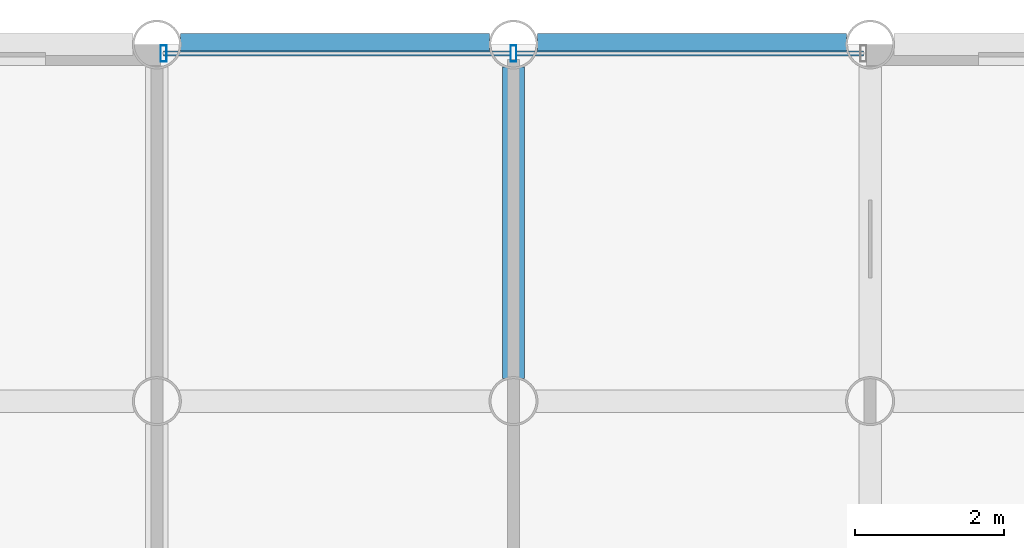
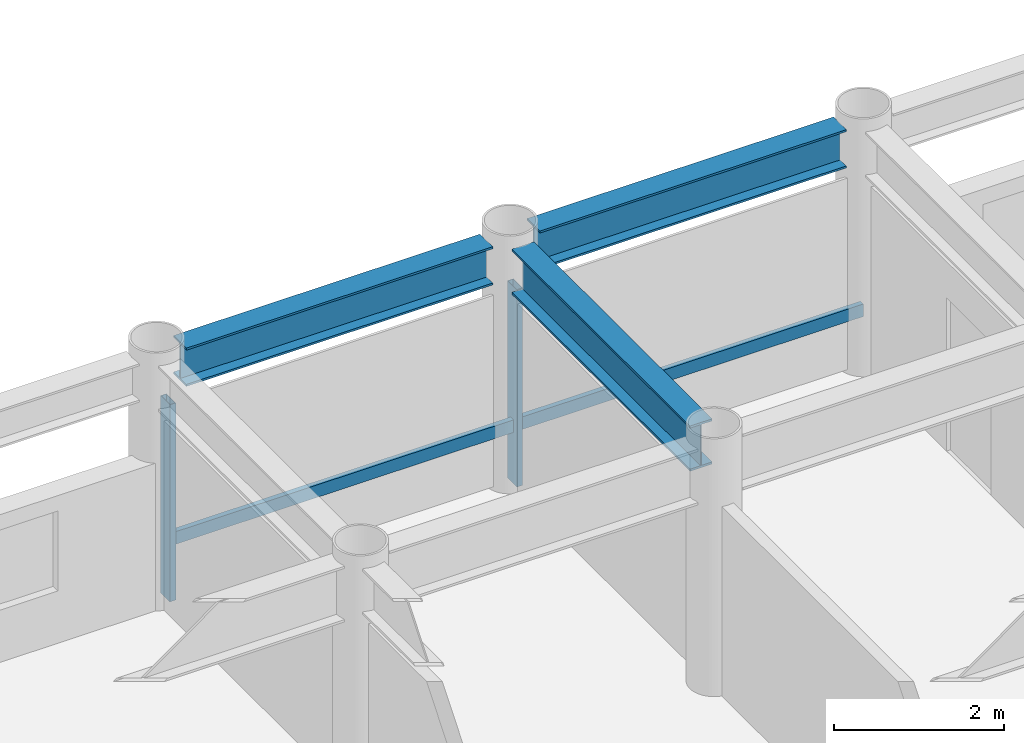
# One storey, part 13 of 22: 4 members, 3 beams, 1 element without a shape of its own.
"""IFC4 building model written with IfcOpenShell, lengths in metres."""

from ifc_helpers import new_model, si_unit, direction, frame, origin, origin_2d, place, context, subcontext, project, spatial, hollow_rectangle, i_section, extrude, material, layer, layer_set, material_profile, profile_set, type_object, element, aggregate, save


model = new_model("IFC4")

# Units and contexts
model_context = context("Model", 3, precision=1e-05, world=origin(), true_north=direction((0.0, 1.0)))
body_context = subcontext(model_context, "Body", "Model", "MODEL_VIEW")
ifc_project = project(units=[si_unit("LENGTHUNIT", "METRE"), si_unit("AREAUNIT", "SQUARE_METRE"), si_unit("VOLUMEUNIT", "CUBIC_METRE"), si_unit("PLANEANGLEUNIT", "RADIAN"), si_unit("MASSUNIT", "GRAM", prefix="KILO")], contexts=[model_context])

# Site, building, storey
site_placement = place(None, origin())
site = spatial("IfcSite", under=ifc_project, at=site_placement, CompositionType="ELEMENT")
building_placement = place(site_placement, origin())
building = spatial("IfcBuilding", under=site, at=building_placement, Name="Kallvorn Hotel Tower", CompositionType="ELEMENT")
storey_placement = place(building_placement, frame((0.0, 0.0, 106.300048828125)))
storey = spatial("IfcBuildingStorey", under=building, at=storey_placement, Name="L25", CompositionType="ELEMENT", Elevation=106.300048828125)

# Beams
ifc_material_1 = material(Name="Structural steel S355JR", Category="steel")
ifc_material_profile_1 = material_profile(ifc_material_1, i_section(OverallWidth=0.300048828125, OverallDepth=0.550048828125, WebThickness=0.014892578125, FlangeThickness=0.029052734375, at=origin_2d()), Name="HE 550 B")
ifc_profile_set_1 = profile_set([ifc_material_profile_1], Name="Structural steel S355JR")
beam_type_1 = type_object("IfcBeamType", Name="BM_HE550B", PredefinedType="SPANDREL", material=ifc_profile_set_1)
for number, where, z_axis, x_axis, name in (
    (1, (-4.47998046875, 24.0, 3.244873046875), (1.0, 0.0, 0.0), (0.0, 1.0, 0.0), "L26 Perimeter Spandrel 167"),
    (2, (0.320068359375, 24.0, 3.244873046875), (1.0, 0.0, 0.0), (0.0, 1.0, 0.0), "L26 Perimeter Spandrel 168"),
):
    element("IfcBeam", number, at=place(storey_placement, frame(where, z_axis=z_axis, x_axis=x_axis)), inside=storey, type_object=beam_type_1, Name=name, PredefinedType="SPANDREL", context=body_context, shape_type="SweptSolid", body=[
        extrude(i_section(OverallWidth=0.300048828125, OverallDepth=0.550048828125, WebThickness=0.014892578125, FlangeThickness=0.029052734375, at=origin_2d()), origin(), (0.0, 0.0, 1.0), 4.159912109375),
    ])
ifc_material_2 = material(Name="Structural steel S355JR", Category="steel")
ifc_material_profile_2 = material_profile(ifc_material_2, i_section(OverallWidth=0.300048828125, OverallDepth=0.64990234375, WebThickness=0.01611328125, FlangeThickness=0.031005859375, at=origin_2d()), Name="HE 650 B")
ifc_profile_set_2 = profile_set([ifc_material_profile_2], Name="Structural steel S355JR")
beam_type_2 = type_object("IfcBeamType", Name="BM_HE650B", PredefinedType="BEAM", material=ifc_profile_set_2)
beam_placement = place(storey_placement, frame((0.0, 19.5048828125, 3.195068359375), z_axis=(0.0, 1.0, 0.0), x_axis=(-1.0, 0.0, 0.0)))
element("IfcBeam", 3, at=beam_placement, inside=storey, type_object=beam_type_2, Name="L26 Primary Y-Girder 112", PredefinedType="BEAM", context=body_context, shape_type="SweptSolid", body=[
    extrude(i_section(OverallWidth=0.300048828125, OverallDepth=0.64990234375, WebThickness=0.01611328125, FlangeThickness=0.031005859375, at=origin_2d()), origin(), (0.0, 0.0, 1.0), 4.190185546875),
])

# Curtain wall, members
ifc_material_3 = material(Name="Thermally broken black-anodised aluminium AA 6063-T6", Category="aluminium")
ifc_layer = layer(ifc_material_3, 0.199951171875)
ifc_layer_set = layer_set([ifc_layer], Name="CW_SYS_3_HOTEL_LOW")
curtain_wall_type = type_object("IfcCurtainWallType", Name="CW_SYS_3_HOTEL_LOW", PredefinedType="USERDEFINED", material=ifc_layer_set)
curtain_wall_placement = place(storey_placement, origin())
curtain_wall = element("IfcCurtainWall", 4, at=curtain_wall_placement, inside=storey, type_object=curtain_wall_type, Name="L25 Dark-Glass Curtain Wall CW-L25-NC", ObjectType="UNITISED CURTAIN WALL", PredefinedType="USERDEFINED")
ifc_material_4 = material(Name="Thermally broken black-anodised aluminium AA 6063-T6", Category="aluminium")
ifc_material_profile_3 = material_profile(ifc_material_4, hollow_rectangle(XDim=0.080078125, YDim=0.219970703125, WallThickness=0.0048828125, at=origin_2d()), Name="MUL 220x80")
ifc_profile_set_3 = profile_set([ifc_material_profile_3], Name="Thermally broken black-anodised aluminium AA 6063-T6")
member_type_1 = type_object("IfcMemberType", Name="CW_MULLION_220x80", PredefinedType="MULLION", material=ifc_profile_set_3)
member_1_placement = place(storey_placement, frame((-4.7099609375, 23.8798828125, 0.02001953125), z_axis=(0.0, 0.0, 1.0), x_axis=(1.0, 0.0, 0.0)))
member_1 = element("IfcMember", 5, at=member_1_placement, type_object=member_type_1, Name="CW-L25-NC Mullion 00", PredefinedType="MULLION", context=body_context, shape_type="SweptSolid", body=[
    extrude(hollow_rectangle(XDim=0.080078125, YDim=0.219970703125, WallThickness=0.0048828125, at=origin_2d()), origin(), (0.0, 0.0, 1.0), 2.829833984375),
])
member_2_placement = place(storey_placement, frame((0.0, 23.8798828125, 0.02001953125), z_axis=(0.0, 0.0, 1.0), x_axis=(1.0, 0.0, 0.0)))
member_2 = element("IfcMember", 6, at=member_2_placement, type_object=member_type_1, Name="CW-L25-NC Mullion 01", PredefinedType="MULLION", context=body_context, shape_type="SweptSolid", body=[
    extrude(hollow_rectangle(XDim=0.080078125, YDim=0.219970703125, WallThickness=0.0048828125, at=origin_2d()), origin(), (0.0, 0.0, 1.0), 2.829833984375),
])
ifc_material_5 = material(Name="Thermally broken black-anodised aluminium AA 6063-T6", Category="aluminium")
ifc_material_profile_4 = material_profile(ifc_material_5, hollow_rectangle(XDim=0.070068359375, YDim=0.179931640625, WallThickness=0.00390625, at=origin_2d()), Name="TRN 180x70")
ifc_profile_set_4 = profile_set([ifc_material_profile_4], Name="Thermally broken black-anodised aluminium AA 6063-T6")
member_type_2 = type_object("IfcMemberType", Name="CW_TRANSOM_180x70", PredefinedType="USERDEFINED", material=ifc_profile_set_4)
member_3_placement = place(storey_placement, frame((-4.7099609375, 23.8798828125, 0.849853515625), z_axis=(1.0, 0.0, 0.0), x_axis=(0.0, 1.0, 0.0)))
member_3 = element("IfcMember", 7, at=member_3_placement, type_object=member_type_2, Name="CW-L25-NC Transom 00M", ObjectType="TRANSOM", PredefinedType="USERDEFINED", context=body_context, shape_type="SweptSolid", body=[
    extrude(hollow_rectangle(XDim=0.070068359375, YDim=0.179931640625, WallThickness=0.00390625, at=origin_2d()), origin(), (0.0, 0.0, 1.0), 4.669921875),
])
member_4_placement = place(storey_placement, frame((0.0400390625, 23.8798828125, 0.849853515625), z_axis=(1.0, 0.0, 0.0), x_axis=(0.0, 1.0, 0.0)))
member_4 = element("IfcMember", 8, at=member_4_placement, type_object=member_type_2, Name="CW-L25-NC Transom 01M", ObjectType="TRANSOM", PredefinedType="USERDEFINED", context=body_context, shape_type="SweptSolid", body=[
    extrude(hollow_rectangle(XDim=0.070068359375, YDim=0.179931640625, WallThickness=0.00390625, at=origin_2d()), origin(), (0.0, 0.0, 1.0), 4.669921875),
])
aggregate(curtain_wall, [member_1, member_2, member_3, member_4])

save(model, "model.ifc")
